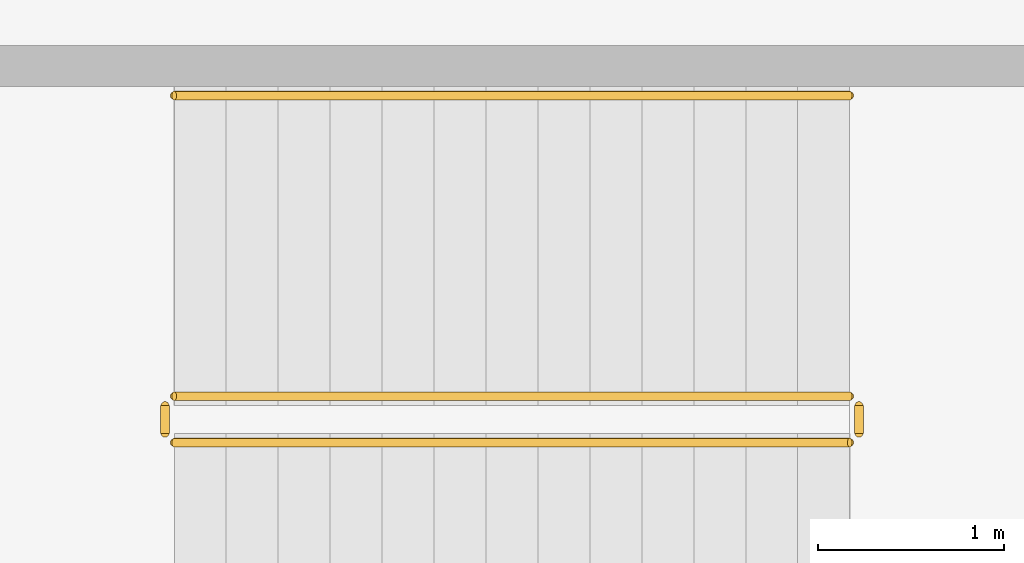
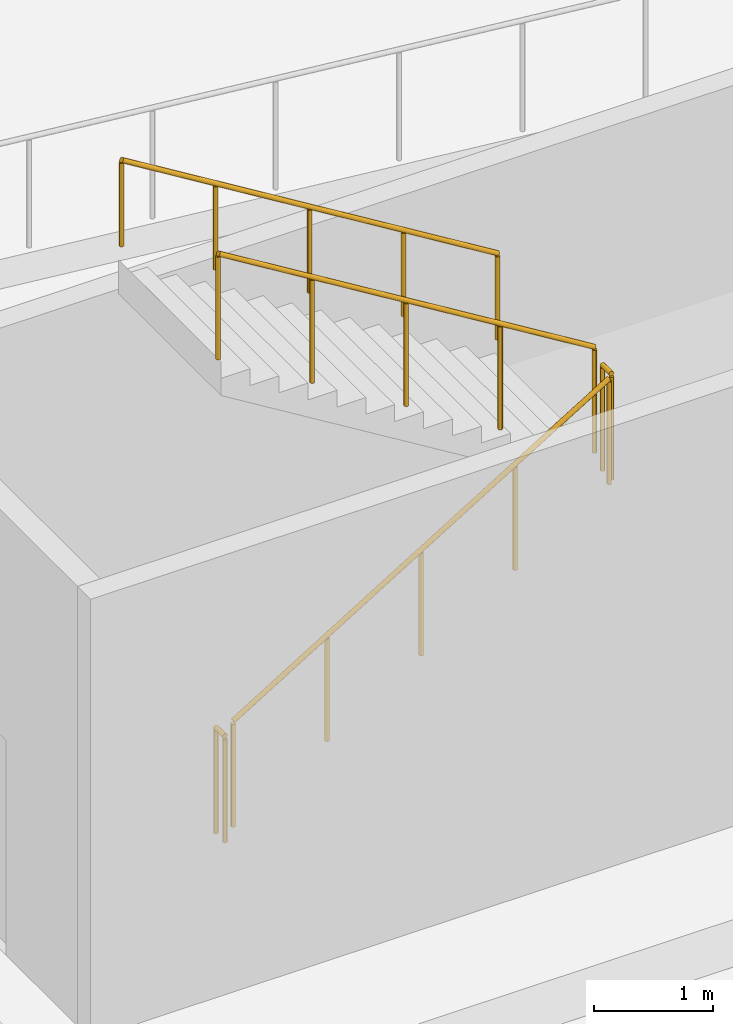
# One storey, part 23 of 26: 5 railings.
"""IFC4 building model written with IfcOpenShell, lengths in metres."""

from ifc_helpers import new_model, si_unit, direction, frame, origin, origin_2d, place, context, subcontext, project, spatial, circle, extrude, material, type_object, element, save


model = new_model("IFC4")

# Units and contexts
model_context = context("Model", 3, precision=1e-05, world=origin(), true_north=direction((0.0, 1.0)))
body_context = subcontext(model_context, "Body", "Model", "MODEL_VIEW")
ifc_project = project(units=[si_unit("LENGTHUNIT", "METRE"), si_unit("AREAUNIT", "SQUARE_METRE"), si_unit("VOLUMEUNIT", "CUBIC_METRE"), si_unit("PLANEANGLEUNIT", "RADIAN"), si_unit("MASSUNIT", "GRAM", prefix="KILO"), si_unit("THERMODYNAMICTEMPERATUREUNIT", "KELVIN")], contexts=[model_context])

# Site, building, storey
site_placement = place(None, origin())
site = spatial("IfcSite", under=ifc_project, at=site_placement, CompositionType="ELEMENT")
building_placement = place(site_placement, origin())
building = spatial("IfcBuilding", under=site, at=building_placement, Name="Nduvali Passage Aquatics Centre", CompositionType="ELEMENT")
storey_placement = place(building_placement, frame((0.0, 0.0, -4.800048828125)))
storey = spatial("IfcBuildingStorey", under=building, at=storey_placement, Name="B01", CompositionType="ELEMENT", Elevation=-4.800048828125)

# Railings
ifc_material = material(Name="Stainless steel balustrade", Category="steel")
railing_type_1 = type_object("IfcRailingType", Name="INT-RLG-GRD110", PredefinedType="GUARDRAIL", material=ifc_material)
railing_1_placement = place(storey_placement, frame((73.64990234375, 104.169921875, 0.17138671875)))
element("IfcRailing", 1, at=railing_1_placement, inside=storey, type_object=railing_type_1, Name="B01 ST1 stair guard 1", PredefinedType="GUARDRAIL", context=body_context, shape_type="SweptSolid", body=[
    extrude(circle(Radius=0.02392578125, at=origin_2d()), frame((0.0, 0.0, 1.076171875), z_axis=(0.852840387347, 0.0, 0.522171689878), x_axis=(0.0, 1.0, 0.0)), (0.0, 0.0, 1.0), 4.268310546875),
    extrude(circle(Radius=0.02099609375, at=origin_2d()), origin(), (0.0, 0.0, 1.0), 1.052001953125),
    extrude(circle(Radius=0.02099609375, at=origin_2d()), frame((0.91015625, 0.0, 0.55712890625)), (0.0, 0.0, 1.0), 1.052001953125),
    extrude(circle(Radius=0.02099609375, at=origin_2d()), frame((1.820068359375, 0.0, 1.1142578125)), (0.0, 0.0, 1.0), 1.052001953125),
    extrude(circle(Radius=0.02099609375, at=origin_2d()), frame((2.72998046875, 0.0, 1.671630859375)), (0.0, 0.0, 1.0), 1.052001953125),
    extrude(circle(Radius=0.02099609375, at=origin_2d()), frame((3.64013671875, 0.0, 2.228759765625)), (0.0, 0.0, 1.0), 1.052001953125),
])
railing_2_placement = place(storey_placement, frame((77.340087890625, 104.219970703125, 2.400146484375)))
element("IfcRailing", 2, at=railing_2_placement, inside=storey, type_object=railing_type_1, Name="B01 ST1 stair guard 2", PredefinedType="GUARDRAIL", context=body_context, shape_type="SweptSolid", body=[
    extrude(circle(Radius=0.02392578125, at=origin_2d()), frame((0.0, 0.0, 1.076171875), z_axis=(0.0, 1.0, 0.0), x_axis=(-1.0, 0.0, 0.0)), (0.0, 0.0, 1.0), 0.150146484375),
    extrude(circle(Radius=0.02099609375, at=origin_2d()), origin(), (0.0, 0.0, 1.0), 1.052001953125),
    extrude(circle(Radius=0.02099609375, at=origin_2d()), frame((0.0, 0.150146484375, 0.0)), (0.0, 0.0, 1.0), 1.052001953125),
])
railing_3_placement = place(storey_placement, frame((77.2900390625, 104.419921875, 2.571533203125)))
element("IfcRailing", 3, at=railing_3_placement, inside=storey, type_object=railing_type_1, Name="B01 ST1 stair guard 3", PredefinedType="GUARDRAIL", context=body_context, shape_type="SweptSolid", body=[
    extrude(circle(Radius=0.02392578125, at=origin_2d()), frame((0.0, 0.0, 1.076171875), z_axis=(-0.852865859571, 0.0, 0.52213008492), x_axis=(0.0, -1.0, 0.0)), (0.0, 0.0, 1.0), 4.26806640625),
    extrude(circle(Radius=0.02099609375, at=origin_2d()), origin(), (0.0, 0.0, 1.0), 1.052001953125),
    extrude(circle(Radius=0.02099609375, at=origin_2d()), frame((-0.91015625, 0.0, 0.55712890625)), (0.0, 0.0, 1.0), 1.052001953125),
    extrude(circle(Radius=0.02099609375, at=origin_2d()), frame((-1.820068359375, 0.0, 1.1142578125)), (0.0, 0.0, 1.0), 1.052001953125),
    extrude(circle(Radius=0.02099609375, at=origin_2d()), frame((-2.72998046875, 0.0, 1.67138671875)), (0.0, 0.0, 1.0), 1.052001953125),
    extrude(circle(Radius=0.02099609375, at=origin_2d()), frame((-3.64013671875, 0.0, 2.228515625)), (0.0, 0.0, 1.0), 1.052001953125),
])
railing_4_placement = place(storey_placement, frame((73.60009765625, 104.219970703125, 0.0)))
element("IfcRailing", 4, at=railing_4_placement, inside=storey, type_object=railing_type_1, Name="B01 ST1 stair guard 4", PredefinedType="GUARDRAIL", context=body_context, shape_type="SweptSolid", body=[
    extrude(circle(Radius=0.02392578125, at=origin_2d()), frame((0.0, 0.0, 1.076171875), z_axis=(0.0, 1.0, 0.0), x_axis=(-1.0, 0.0, 0.0)), (0.0, 0.0, 1.0), 0.150146484375),
    extrude(circle(Radius=0.02099609375, at=origin_2d()), origin(), (0.0, 0.0, 1.0), 1.052001953125),
    extrude(circle(Radius=0.02099609375, at=origin_2d()), frame((0.0, 0.150146484375, 0.0)), (0.0, 0.0, 1.0), 1.052001953125),
])
railing_type_2 = type_object("IfcRailingType", Name="INT-RLG-HND90", PredefinedType="HANDRAIL", material=ifc_material)
railing_5_placement = place(storey_placement, frame((77.2900390625, 106.0400390625, 2.746337890625)))
element("IfcRailing", 5, at=railing_5_placement, inside=storey, type_object=railing_type_2, Name="B01 ST1 stair handrail 2", PredefinedType="HANDRAIL", context=body_context, shape_type="SweptSolid", body=[
    extrude(circle(Radius=0.02392578125, at=origin_2d()), frame((0.0, 0.0, 0.8759765625), z_axis=(-0.852840387347, 0.0, 0.522171689878), x_axis=(0.0, -1.0, 0.0)), (0.0, 0.0, 1.0), 4.268310546875),
    extrude(circle(Radius=0.02099609375, at=origin_2d()), origin(), (0.0, 0.0, 1.0), 0.851806640625),
    extrude(circle(Radius=0.02099609375, at=origin_2d()), frame((-0.91015625, 0.0, 0.55712890625)), (0.0, 0.0, 1.0), 0.851806640625),
    extrude(circle(Radius=0.02099609375, at=origin_2d()), frame((-1.820068359375, 0.0, 1.1142578125)), (0.0, 0.0, 1.0), 0.851806640625),
    extrude(circle(Radius=0.02099609375, at=origin_2d()), frame((-2.72998046875, 0.0, 1.671630859375)), (0.0, 0.0, 1.0), 0.851806640625),
    extrude(circle(Radius=0.02099609375, at=origin_2d()), frame((-3.64013671875, 0.0, 2.228759765625)), (0.0, 0.0, 1.0), 0.851806640625),
])

save(model, "model.ifc")
